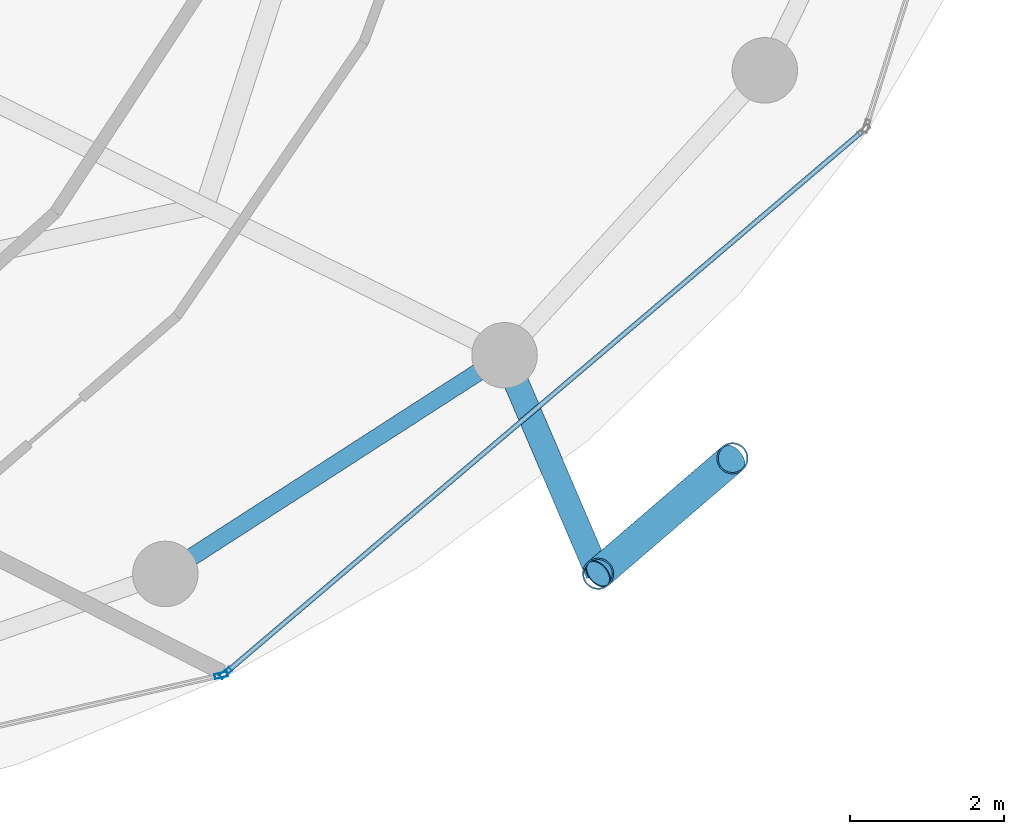
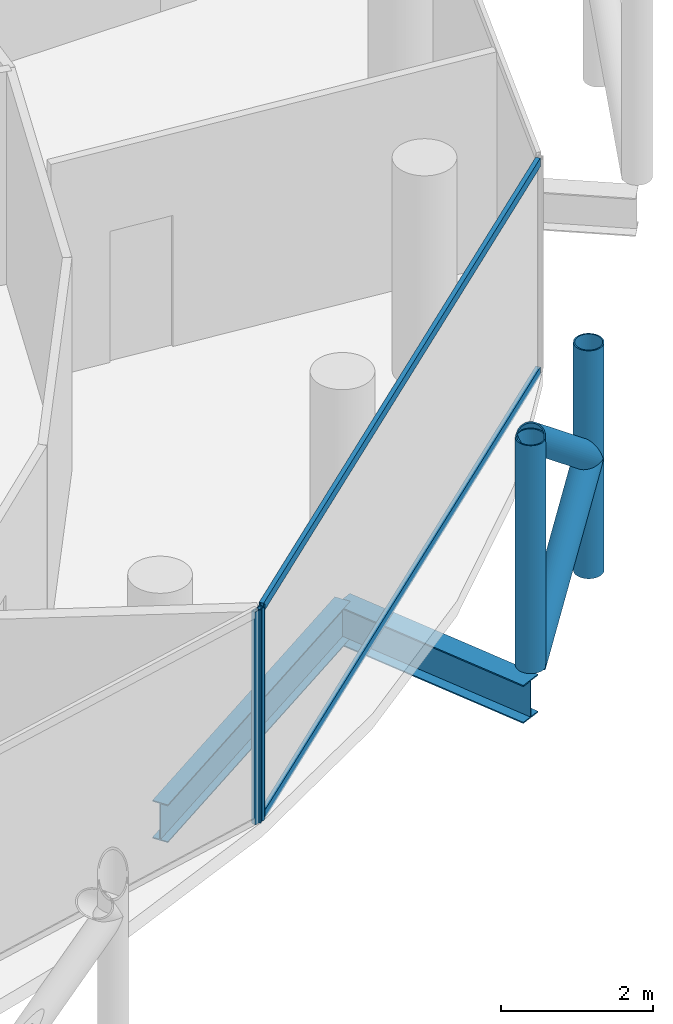
# One storey, part 11 of 28: 8 members, 2 beams, 2 elements without a shape of their own.
"""IFC4 building model written with IfcOpenShell, lengths in metres."""

from ifc_helpers import new_model, si_unit, direction, frame, origin, origin_2d, place, context, subcontext, project, spatial, hollow_rectangle, hollow_circle, i_section, extrude, material, layer, layer_set, material_profile, profile_set, type_object, element, aggregate, save


model = new_model("IFC4")

# Units and contexts
model_context = context("Model", 3, precision=1e-05, world=origin(), true_north=direction((0.0, 1.0)))
body_context = subcontext(model_context, "Body", "Model", "MODEL_VIEW")
ifc_project = project(units=[si_unit("LENGTHUNIT", "METRE"), si_unit("AREAUNIT", "SQUARE_METRE"), si_unit("VOLUMEUNIT", "CUBIC_METRE"), si_unit("PLANEANGLEUNIT", "RADIAN"), si_unit("MASSUNIT", "GRAM", prefix="KILO")], contexts=[model_context])

# Site, building, storey
site_placement = place(None, origin())
site = spatial("IfcSite", under=ifc_project, at=site_placement, CompositionType="ELEMENT")
building_placement = place(site_placement, origin())
building = spatial("IfcBuilding", under=site, at=building_placement, Name="Nuhasar Tower", CompositionType="ELEMENT")
storey_placement = place(building_placement, frame((0.0, 0.0, 222.75)))
storey = spatial("IfcBuildingStorey", under=building, at=storey_placement, Name="L54", CompositionType="ELEMENT", Elevation=222.75)

# Beams
ifc_material_1 = material(Name="Steel S355", Category="steel")
ifc_material_profile_1 = material_profile(ifc_material_1, i_section(OverallWidth=0.22802734375, OverallDepth=0.60791015625, WebThickness=0.01123046875, FlangeThickness=0.017333984375, at=origin_2d()), Name="W24X76")
ifc_profile_set_1 = profile_set([ifc_material_profile_1], Name="Steel S355")
beam_type_1 = type_object("IfcBeamType", Name="BM-RING-W24X76", PredefinedType="SPANDREL", material=ifc_profile_set_1)
beam_1_placement = place(storey_placement, frame((49.625, 11.341064453125, -0.5439453125), z_axis=(0.840502144969, 0.541808217272, 0.0), x_axis=(-0.541808217272, 0.840502144969, 0.0)))
element("IfcBeam", 1, at=beam_1_placement, inside=storey, type_object=beam_type_1, Name="L54 Perimeter Ring Spandrel 21", PredefinedType="SPANDREL", context=body_context, shape_type="SweptSolid", body=[
    extrude(i_section(OverallWidth=0.22802734375, OverallDepth=0.60791015625, WebThickness=0.01123046875, FlangeThickness=0.017333984375, at=origin_2d()), origin(), (0.0, 0.0, 1.0), 5.236083984375),
])
ifc_material_profile_2 = material_profile(ifc_material_1, i_section(OverallWidth=0.323974609375, OverallDepth=0.611083984375, WebThickness=0.0126953125, FlangeThickness=0.01904296875, at=origin_2d()), Name="W24X104")
ifc_profile_set_2 = profile_set([ifc_material_profile_2], Name="Steel S355")
beam_type_2 = type_object("IfcBeamType", Name="BM-TIE-W24X104", PredefinedType="BEAM", material=ifc_profile_set_2)
beam_2_placement = place(storey_placement, frame((54.02587890625, 14.177978515625, -0.5458984375), z_axis=(0.393680429682, -0.919247365667, 0.0), x_axis=(0.919247365667, 0.393680429682, 0.0)))
element("IfcBeam", 2, at=beam_2_placement, inside=storey, type_object=beam_type_2, Name="L54 Exoskeleton Node Tie Beam 11", PredefinedType="BEAM", context=body_context, shape_type="SweptSolid", body=[
    extrude(i_section(OverallWidth=0.323974609375, OverallDepth=0.611083984375, WebThickness=0.0126953125, FlangeThickness=0.01904296875, at=origin_2d()), origin(), (0.0, 0.0, 1.0), 3.083984375),
])

# Curtain wall, member
ifc_material_2 = material(Name="Aluminium 6063-T6", Category="aluminium")
ifc_layer = layer(ifc_material_2, 0.18994140625)
ifc_layer_set = layer_set([ifc_layer], Name="Aluminium 6063-T6")
curtain_wall_type = type_object("IfcCurtainWallType", Name="CW-Z3-RES", PredefinedType="NOTDEFINED", material=ifc_layer_set)
curtain_wall_1_placement = place(storey_placement, origin())
curtain_wall_1 = element("IfcCurtainWall", 3, at=curtain_wall_1_placement, inside=storey, type_object=curtain_wall_type, Name="L54 Unitised Curtain Wall 10", PredefinedType="NOTDEFINED")
ifc_material_profile_3 = material_profile(ifc_material_2, hollow_rectangle(XDim=0.06494140625, YDim=0.169921875, WallThickness=0.0048828125, at=origin_2d()), Name="CWM-4")
ifc_profile_set_3 = profile_set([ifc_material_profile_3], Name="Aluminium 6063-T6")
member_type_1 = type_object("IfcMemberType", Name="CW-MUL-S4", PredefinedType="MULLION", material=ifc_profile_set_3)
member_1_placement = place(storey_placement, frame((50.348388671875, 10.02685546875, 0.0), z_axis=(0.0, 0.0, 1.0), x_axis=(-0.222243176313, 0.974991266926, 0.0)))
member_1 = element("IfcMember", 4, at=member_1_placement, type_object=member_type_1, Name="CW-Z3 mullion 2", PredefinedType="MULLION", context=body_context, shape_type="SweptSolid", body=[
    extrude(hollow_rectangle(XDim=0.06494140625, YDim=0.169921875, WallThickness=0.0048828125, at=origin_2d()), origin(), (0.0, 0.0, 1.0), 3.409912109375),
])
aggregate(curtain_wall_1, [member_1])

# Curtain wall, members
curtain_wall_2_placement = place(storey_placement, origin())
curtain_wall_2 = element("IfcCurtainWall", 5, at=curtain_wall_2_placement, inside=storey, type_object=curtain_wall_type, Name="L54 Unitised Curtain Wall 11", PredefinedType="NOTDEFINED")
member_2_placement = place(storey_placement, frame((50.40478515625, 10.05517578125, 0.0), z_axis=(0.0, 0.0, 1.0), x_axis=(-0.64789521578, 0.761729472562, 0.0)))
member_2 = element("IfcMember", 6, at=member_2_placement, type_object=member_type_1, Name="CW-Z3 mullion 1", PredefinedType="MULLION", context=body_context, shape_type="SweptSolid", body=[
    extrude(hollow_rectangle(XDim=0.06494140625, YDim=0.169921875, WallThickness=0.0048828125, at=origin_2d()), origin(), (0.0, 0.0, 1.0), 3.409912109375),
])
ifc_material_profile_4 = material_profile(ifc_material_2, hollow_rectangle(XDim=0.06494140625, YDim=0.139892578125, WallThickness=0.00439453125, at=origin_2d()), Name="CWT-4")
ifc_profile_set_4 = profile_set([ifc_material_profile_4], Name="Aluminium 6063-T6")
member_type_2 = type_object("IfcMemberType", Name="CW-TRN-S4", PredefinedType="USERDEFINED", material=ifc_profile_set_4)
member_3_placement = place(storey_placement, frame((50.429443359375, 10.076171875, 0.032470703125), z_axis=(0.761730809511, 0.647893643928, 0.0), x_axis=(-0.647893643928, 0.761730809511, 0.0)))
member_3 = element("IfcMember", 7, at=member_3_placement, type_object=member_type_2, Name="CW-Z3 transom 1.1", ObjectType="TRANSOM", PredefinedType="USERDEFINED", context=body_context, shape_type="SweptSolid", body=[
    extrude(hollow_rectangle(XDim=0.06494140625, YDim=0.139892578125, WallThickness=0.00439453125, at=origin_2d()), origin(), (0.0, 0.0, 1.0), 10.806884765625),
])
member_4_placement = place(storey_placement, frame((50.429443359375, 10.076171875, 3.37744140625), z_axis=(0.761730809511, 0.647893643928, 0.0), x_axis=(-0.647893643928, 0.761730809511, 0.0)))
member_4 = element("IfcMember", 8, at=member_4_placement, type_object=member_type_2, Name="CW-Z3 transom 1.2", ObjectType="TRANSOM", PredefinedType="USERDEFINED", context=body_context, shape_type="SweptSolid", body=[
    extrude(hollow_rectangle(XDim=0.06494140625, YDim=0.139892578125, WallThickness=0.00439453125, at=origin_2d()), origin(), (0.0, 0.0, 1.0), 10.806884765625),
])
aggregate(curtain_wall_2, [member_2, member_3, member_4])

# Members
ifc_material_3 = material(Name="Steel S460", Category="steel")
ifc_material_profile_5 = material_profile(ifc_material_3, hollow_circle(Radius=0.203125, WallThickness=0.01904296875, at=origin_2d()), Name="HSS406.4X19.1")
ifc_profile_set_5 = profile_set([ifc_material_profile_5], Name="Steel S460")
member_type_3 = type_object("IfcMemberType", Name="EXO-BRONZE-406", PredefinedType="BRACE", material=ifc_profile_set_5)
for number, where, z_axis, x_axis, name in (
    (9, (55.239990234375, 11.343017578125, 0.0), (0.0, 0.0, 1.0), (1.0, 0.0, 0.0), "L54 Exoskeleton Chord Column EC-11A"),
    (10, (56.98388671875, 12.842041015625, 0.0), (0.0, 0.0, 1.0), (1.0, 0.0, 0.0), "L54 Exoskeleton Chord Column EC-11B"),
):
    element("IfcMember", number, at=place(storey_placement, frame(where, z_axis=z_axis, x_axis=x_axis)), inside=storey, type_object=member_type_3, Name=name, PredefinedType="BRACE", context=body_context, shape_type="SweptSolid", body=[
        extrude(hollow_circle(Radius=0.203125, WallThickness=0.01904296875, at=origin_2d()), origin(), (0.0, 0.0, 1.0), 3.64990234375),
    ])
for number, where, z_axis, x_axis, name in (
    (11, (55.239990234375, 11.343017578125, 0.0), (0.594018535389, 0.510608120858, 0.621627964725), (-0.65185738425, 0.758341579104, 0.0), "L54 Bronze Diagrid Brace W1-11"),
    (12, (56.98388671875, 12.842041015625, 1.824951171875), (-0.594018535389, -0.510608120858, 0.621627964725), (0.65185738425, -0.758341579104, 0.0), "L54 Bronze Diagrid Brace W2-11"),
):
    element("IfcMember", number, at=place(storey_placement, frame(where, z_axis=z_axis, x_axis=x_axis)), inside=storey, type_object=member_type_3, Name=name, PredefinedType="BRACE", context=body_context, shape_type="SweptSolid", body=[
        extrude(hollow_circle(Radius=0.203125, WallThickness=0.01904296875, at=origin_2d()), origin(), (0.0, 0.0, 1.0), 2.935791015625),
    ])

save(model, "model.ifc")
